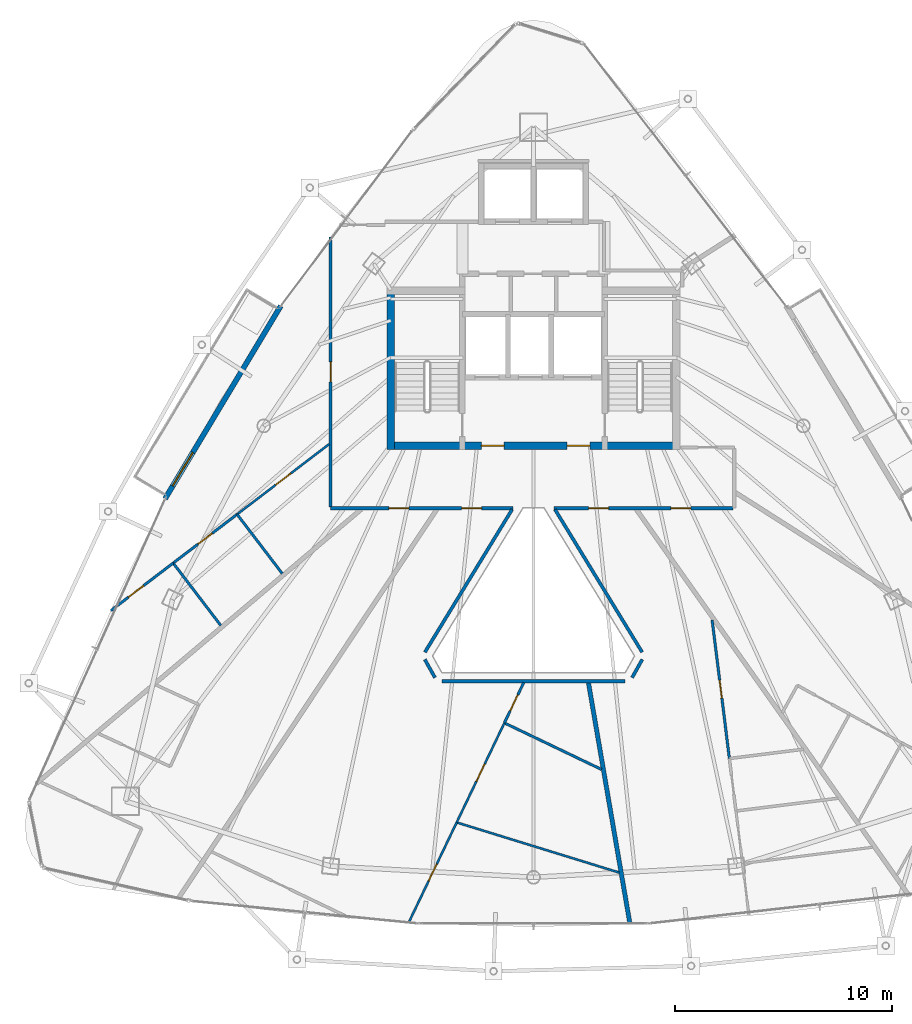
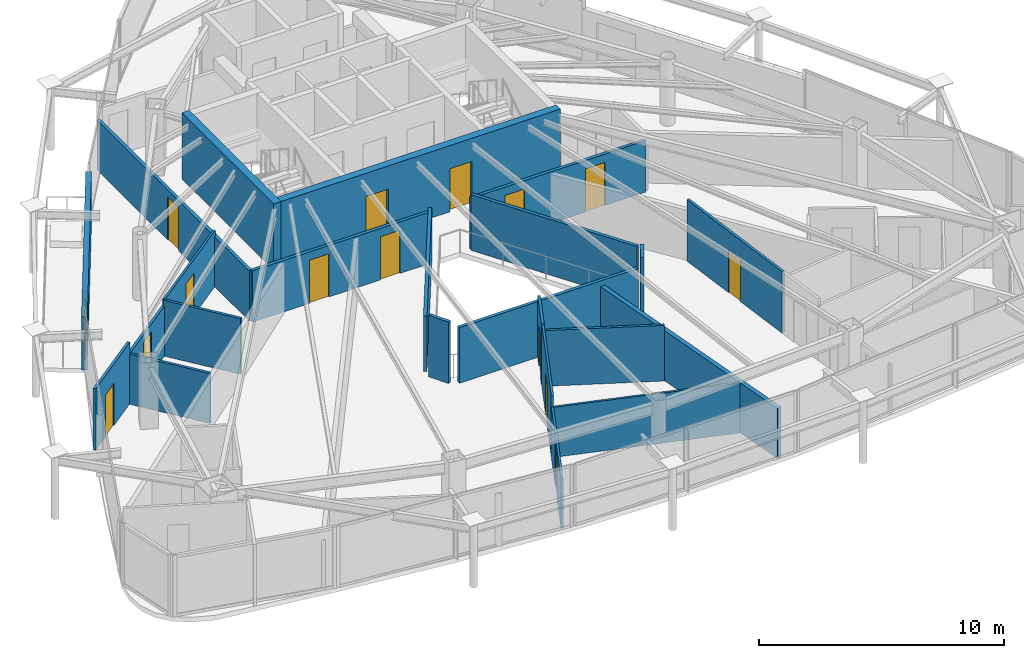
# One storey, part 28 of 33: 23 walls, 15 doors, 15 openings.
"""IFC4 building model written with IfcOpenShell, lengths in metres."""

import ifcopenshell
import ifcopenshell.guid

model = None  # the IFC model being written
_history = None  # IfcOwnerHistory: only IFC2X3 demands one
_inside = {}  # id of a spatial element -> (the spatial element, [elements in it])
_under = {}  # id of a project, library or spatial element -> (it, [spatial elements below it])
_declared = {}  # id of a project -> (the project, [libraries it declares])
_typed = {}  # id of a type object -> (the type object, [elements of that type])
_made_of = {}  # id of a material, layer set ... -> (it, [elements and type objects made of it])


def new_model(schema):
    """Start an empty IFC model of exactly this schema.

    Asked for "IFC4X3", IfcOpenShell would pick the latest addendum, in which some entities
    have other attributes; the version numbers below select the first issue.
    IFC2X3 requires an IfcOwnerHistory on every rooted entity: one is made here for all.
    """
    global model, _history
    if schema == "IFC4X3":
        model = ifcopenshell.file(schema_version=(4, 3, 0, 0))
    else:
        model = ifcopenshell.file(schema=schema)
    _inside.clear()
    _under.clear()
    _declared.clear()
    _typed.clear()
    _made_of.clear()
    _history = None
    if model.schema == "IFC2X3":
        org = make("IfcOrganization", Name="unknown")
        user = make(
            "IfcPersonAndOrganization",
            ThePerson=make("IfcPerson", FamilyName="unknown"),
            TheOrganization=org,
        )
        app = make(
            "IfcApplication",
            ApplicationDeveloper=org,
            Version="unknown",
            ApplicationFullName="unknown",
            ApplicationIdentifier="unknown",
        )
        _history = make(
            "IfcOwnerHistory",
            OwningUser=user,
            OwningApplication=app,
            ChangeAction="ADDED",
            CreationDate=0,
        )
    return model


def make(cls, **values):
    """One entity of the class cls with the attributes given. An attribute that is None is left unset."""
    return model.create_entity(
        cls, **{name: value for name, value in values.items() if value is not None}
    )


def rooted(cls, **values):
    """An entity with a GlobalId (a new one), such as an element, a storey or a relation."""
    return make(cls, GlobalId=ifcopenshell.guid.new(), OwnerHistory=_history, **values)


def si_unit(unit_type, name, prefix=None):
    """IfcSIUnit, for example si_unit("LENGTHUNIT", "METRE", prefix="MILLI")."""
    return make("IfcSIUnit", UnitType=unit_type, Prefix=prefix, Name=name)


def assignment(units):
    """IfcUnitAssignment: the units of a project."""
    return None if units is None else make("IfcUnitAssignment", Units=units)


def point(xyz):
    """IfcCartesianPoint."""
    return None if xyz is None else make("IfcCartesianPoint", Coordinates=xyz)


def direction(xyz):
    """IfcDirection."""
    return None if xyz is None else make("IfcDirection", DirectionRatios=xyz)


def frame(location, z_axis=None, x_axis=None):
    """IfcAxis2Placement3D, a coordinate frame: its origin and axes. An axis left out is left unset."""
    return make(
        "IfcAxis2Placement3D",
        Location=point(location),
        Axis=direction(z_axis),
        RefDirection=direction(x_axis),
    )


def frame_2d(location, x_axis=None):
    """IfcAxis2Placement2D, a coordinate frame in the plane: its origin and x axis."""
    return make(
        "IfcAxis2Placement2D", Location=point(location), RefDirection=direction(x_axis)
    )


def origin():
    """The frame at (0, 0, 0) with its axes left unset."""
    return frame((0.0, 0.0, 0.0))


def place(relative_to, where):
    """IfcLocalPlacement: puts the frame where relative to a parent placement (None: the world)."""
    return make(
        "IfcLocalPlacement", PlacementRelTo=relative_to, RelativePlacement=where
    )


def context(
    kind, dimensions, precision=None, world=None, true_north=None, identifier=None
):
    """IfcGeometricRepresentationContext, for example the 3D "Model" context."""
    return make(
        "IfcGeometricRepresentationContext",
        ContextIdentifier=identifier,
        ContextType=kind,
        CoordinateSpaceDimension=dimensions,
        Precision=precision,
        WorldCoordinateSystem=world,
        TrueNorth=true_north,
    )


def subcontext(parent, identifier, kind, view, scale=None):
    """IfcGeometricRepresentationSubContext, for example "Body" below "Model"."""
    return make(
        "IfcGeometricRepresentationSubContext",
        ContextIdentifier=identifier,
        ContextType=kind,
        ParentContext=parent,
        TargetScale=scale,
        TargetView=view,
    )


def project(units=None, contexts=None):
    """IfcProject with its units and contexts."""
    return rooted(
        "IfcProject",
        Name="project",
        RepresentationContexts=contexts,
        UnitsInContext=assignment(units),
    )


def spatial(cls, under=None, at=None, **own):
    """A site, building, storey or space (cls), placed at a placement, below another one or the project."""
    s = rooted(cls, ObjectPlacement=at, **own)
    if under is not None:
        _under.setdefault(under.id(), (under, []))[1].append(s)
    return s


def profile(cls, at=None, kind="AREA", **sizes):
    """A parametric profile (cls). Its sizes go by their IFC names, for example OverallWidth=200.0."""
    return make(cls, ProfileType=kind, Position=at, **sizes)


def rectangle(**sizes):
    """IfcRectangleProfileDef."""
    return profile("IfcRectangleProfileDef", **sizes)


def extrude(swept, where, along, depth):
    """IfcExtrudedAreaSolid: the profile swept, set in the frame where, extruded along a direction by depth."""
    return make(
        "IfcExtrudedAreaSolid",
        SweptArea=swept,
        Position=where,
        ExtrudedDirection=direction(along),
        Depth=depth,
    )


def shape(context_of_items, identifier, shape_type, items):
    """IfcShapeRepresentation: the items that make up one representation, for example the "Body"."""
    return make(
        "IfcShapeRepresentation",
        ContextOfItems=context_of_items,
        RepresentationIdentifier=identifier,
        RepresentationType=shape_type,
        Items=items,
    )


def material(Name=None, Category=None):
    """IfcMaterial."""
    return make("IfcMaterial", Name=Name, Category=Category)


def layer(
    of_material, thickness, ventilated=None, Name=None, Category=None, Priority=None
):
    """IfcMaterialLayer: one layer of a wall or slab, of a material (None: an air gap)."""
    return make(
        "IfcMaterialLayer",
        Material=of_material,
        LayerThickness=thickness,
        IsVentilated=ventilated,
        Name=Name,
        Category=Category,
        Priority=Priority,
    )


def layer_set(layers, Name=None):
    """IfcMaterialLayerSet."""
    return make("IfcMaterialLayerSet", MaterialLayers=layers, LayerSetName=Name)


def made_of(thing, what):
    """Note that an element or type object is made of a material, layer set ...; save() writes the relation."""
    if what is not None:
        _made_of.setdefault(what.id(), (what, []))[1].append(thing)
    return thing


def type_object(cls, material=None, **own):
    """A type object (cls), such as IfcWallType, which elements share."""
    return made_of(rooted(cls, **own), material)


def element(
    cls,
    number,
    at=None,
    inside=None,
    cuts=None,
    type_object=None,
    material=None,
    context=None,
    identifier="Body",
    shape_type=None,
    held_by="IfcProductDefinitionShape",
    body=None,
    shapes=None,
    **own,
):
    """One element of the class cls, such as IfcWall. Its Tag is "e" and its number.

    at: its placement. inside: the storey or other place that contains it. cuts: it is an
    opening in that element (IfcRelVoidsElement). A single representation is given by context,
    identifier, shape_type and body (its items); several are given by shapes. held_by: the class
    of the entity that holds the representations. save() writes the other relations.
    """
    e = rooted(cls, Tag="e%d" % number, ObjectPlacement=at, **own)
    if body is not None:
        shapes = [shape(context, identifier, shape_type, body)]
    if shapes is not None:
        e.Representation = make(held_by, Representations=shapes)
    if inside is not None:
        _inside.setdefault(inside.id(), (inside, []))[1].append(e)
    if cuts is not None:
        rooted(
            "IfcRelVoidsElement", RelatingBuildingElement=cuts, RelatedOpeningElement=e
        )
    if type_object is not None:
        _typed.setdefault(type_object.id(), (type_object, []))[1].append(e)
    return made_of(e, material)


def fill(opening, filler):
    """IfcRelFillsElement: the door or window that sits in an opening."""
    return rooted(
        "IfcRelFillsElement",
        RelatingOpeningElement=opening,
        RelatedBuildingElement=filler,
    )


def aggregate(whole, parts):
    """IfcRelAggregates: a whole, such as a stair, and the parts it consists of."""
    return rooted("IfcRelAggregates", RelatingObject=whole, RelatedObjects=parts)


def save(model, path):
    """Write the relations noted so far, then the file.

    IfcRelAggregates (storeys below a building ...), IfcRelContainedInSpatialStructure (elements
    in a storey), IfcRelDefinesByType, IfcRelAssociatesMaterial and IfcRelDeclares: one each for
    every whole, place, type object, material and project.
    """
    for whole, parts in _under.values():
        aggregate(whole, parts)
    for where, things in _inside.values():
        rooted(
            "IfcRelContainedInSpatialStructure",
            RelatedElements=things,
            RelatingStructure=where,
        )
    for kind, things in _typed.values():
        rooted("IfcRelDefinesByType", RelatedObjects=things, RelatingType=kind)
    for what, things in _made_of.values():
        rooted("IfcRelAssociatesMaterial", RelatedObjects=things, RelatingMaterial=what)
    for by, libraries in _declared.values():
        rooted("IfcRelDeclares", RelatingContext=by, RelatedDefinitions=libraries)
    model.write(path)


model = new_model("IFC4")

# Units and contexts
model_context = context("Model", 3, precision=1e-05, world=origin(), true_north=direction((0.0, 1.0)))
body_context = subcontext(model_context, "Body", "Model", "MODEL_VIEW")
ifc_project = project(units=[si_unit("LENGTHUNIT", "METRE"), si_unit("AREAUNIT", "SQUARE_METRE"), si_unit("VOLUMEUNIT", "CUBIC_METRE"), si_unit("PLANEANGLEUNIT", "RADIAN"), si_unit("MASSUNIT", "GRAM", prefix="KILO")], contexts=[model_context])

# Site, building, storey
site_placement = place(None, origin())
site = spatial("IfcSite", under=ifc_project, at=site_placement, CompositionType="ELEMENT")
building_placement = place(site_placement, origin())
building = spatial("IfcBuilding", under=site, at=building_placement, Name="Orvanel Arch Residences", CompositionType="ELEMENT")
storey_placement = place(building_placement, frame((0.0, 0.0, 212.89990234375)))
storey = spatial("IfcBuildingStorey", under=building, at=storey_placement, Name="L60", CompositionType="ELEMENT", Elevation=212.89990234375)

# Wall, opening, door
ifc_material_1 = material(Name="Precast concrete N50 (50 MPa)", Category="concrete")
ifc_layer_1 = layer(ifc_material_1, 0.239990234375)
ifc_layer_set_1 = layer_set([ifc_layer_1], Name="Precast concrete N50 (50 MPa)")
wall_type_1 = type_object("IfcWallType", Name="EW-BAL-240", PredefinedType="SOLIDWALL", material=ifc_layer_set_1)
wall_1_placement = place(storey_placement, frame((21.35302734375, 33.1689453125, 0.0), z_axis=(0.0, 0.0, 1.0), x_axis=(-0.514391899557, -0.857555230682, 0.0)))
wall_1 = element("IfcWall", 1, at=wall_1_placement, inside=storey, type_object=wall_type_1, Name="L60 Balcony Threshold Wall Face 1", PredefinedType="SOLIDWALL", context=body_context, shape_type="SweptSolid", body=[
    extrude(rectangle(XDim=10.371337890625, YDim=0.239990234375, at=frame_2d((5.185546875, 0.0))), origin(), (0.0, 0.0, 1.0), 2.6240234375),
])
opening_1_placement = place(wall_1_placement, frame((7.8740234375, 0.0, 0.0)))
opening_1 = element("IfcOpeningElement", 2, at=opening_1_placement, cuts=wall_1, Name="Opening DB-180", PredefinedType="OPENING", context=body_context, shape_type="SweptSolid", body=[
    extrude(rectangle(XDim=1.800048828125, YDim=2.199951171875, at=frame_2d((0.89990234375, 1.10009765625))), frame((0.0, 0.1298828125, 0.0), z_axis=(0.0, -1.0, 0.0), x_axis=(1.0, 0.0, 0.0)), (0.0, 0.0, 1.0), 0.260009765625),
])
ifc_material_2 = material(Name="Bronze-anodised aluminium AA6063-T6", Category="aluminium")
door_type_1 = type_object("IfcDoorType", Name="DR-BAL-1800", OperationType="NOTDEFINED", PredefinedType="DOOR", material=ifc_material_2)
door_1_placement = place(opening_1_placement, origin())
door_1 = element("IfcDoor", 3, at=door_1_placement, inside=storey, type_object=door_type_1, Name="DR-L60-BAL-F1 L60 Planted Balcony Access Door Face 1", OperationType="SINGLE_SWING_RIGHT", OverallHeight=2.199951171875, OverallWidth=1.800048828125, PredefinedType="DOOR", context=body_context, shape_type="SweptSolid", body=[
    extrude(rectangle(XDim=1.800048828125, YDim=2.199951171875, at=frame_2d((0.89990234375, 1.10009765625))), frame((0.0, 0.02490234375, 0.0), z_axis=(0.0, -1.0, 0.0), x_axis=(1.0, 0.0, 0.0)), (0.0, 0.0, 1.0), 0.050048828125),
])
fill(opening_1, door_1)

# Wall, openings, doors
ifc_material_3 = material(Name="Concrete N50 (50 MPa)", Category="concrete")
ifc_layer_2 = layer(ifc_material_3, 0.35009765625)
ifc_layer_set_2 = layer_set([ifc_layer_2], Name="Concrete N50 (50 MPa)")
wall_type_2 = type_object("IfcWallType", Name="SW-CORE-350", PredefinedType="SHEAR", material=ifc_layer_set_2)
wall_2_placement = place(storey_placement, frame((26.25, 26.72509765625, 0.0), z_axis=(0.0, 0.0, 1.0), x_axis=(1.0, 0.0, 0.0)))
wall_2 = element("IfcWall", 4, at=wall_2_placement, inside=storey, type_object=wall_type_2, Name="L60 South Core Shear Wall", PredefinedType="SHEAR", context=body_context, shape_type="SweptSolid", body=[
    extrude(rectangle(XDim=13.5, YDim=0.35009765625, at=frame_2d((6.75, 0.0))), origin(), (0.0, 0.0, 1.0), 3.300048828125),
])
opening_2_placement = place(wall_2_placement, frame((4.35009765625, 0.0, 0.0)))
opening_2 = element("IfcOpeningElement", 5, at=opening_2_placement, cuts=wall_2, Name="Opening DF-060", PredefinedType="OPENING", context=body_context, shape_type="SweptSolid", body=[
    extrude(rectangle(XDim=1.050048828125, YDim=2.14990234375, at=frame_2d((0.52490234375, 1.074951171875))), frame((0.0, 0.18505859375, 0.0), z_axis=(0.0, -1.0, 0.0), x_axis=(1.0, 0.0, 0.0)), (0.0, 0.0, 1.0), 0.3701171875),
])
opening_3_placement = place(wall_2_placement, frame((8.300048828125, 0.0, 0.0)))
opening_3 = element("IfcOpeningElement", 6, at=opening_3_placement, cuts=wall_2, Name="Opening DF-060", PredefinedType="OPENING", context=body_context, shape_type="SweptSolid", body=[
    extrude(rectangle(XDim=1.050048828125, YDim=2.14990234375, at=frame_2d((0.52490234375, 1.074951171875))), frame((0.0, 0.18505859375, 0.0), z_axis=(0.0, -1.0, 0.0), x_axis=(1.0, 0.0, 0.0)), (0.0, 0.0, 1.0), 0.3701171875),
])
ifc_material_4 = material(Name="Galvanised steel fire-resisting door assembly", Category="steel")
door_type_2 = type_object("IfcDoorType", Name="DR-FD60-1050", OperationType="NOTDEFINED", PredefinedType="DOOR", material=ifc_material_4)
door_2_placement = place(opening_2_placement, origin())
door_2 = element("IfcDoor", 7, at=door_2_placement, inside=storey, type_object=door_type_2, Name="DR-L60-FFL-W L60 West Smoke Lobby Door", OperationType="SINGLE_SWING_LEFT", OverallHeight=2.14990234375, OverallWidth=1.050048828125, PredefinedType="DOOR", context=body_context, shape_type="SweptSolid", body=[
    extrude(rectangle(XDim=1.050048828125, YDim=2.14990234375, at=frame_2d((0.52490234375, 1.074951171875))), frame((0.0, 0.02490234375, 0.0), z_axis=(0.0, -1.0, 0.0), x_axis=(1.0, 0.0, 0.0)), (0.0, 0.0, 1.0), 0.050048828125),
])
fill(opening_2, door_2)
door_3_placement = place(opening_3_placement, origin())
door_3 = element("IfcDoor", 8, at=door_3_placement, inside=storey, type_object=door_type_2, Name="DR-L60-FFL-E L60 East Smoke Lobby Door", OperationType="SINGLE_SWING_RIGHT", OverallHeight=2.14990234375, OverallWidth=1.050048828125, PredefinedType="DOOR", context=body_context, shape_type="SweptSolid", body=[
    extrude(rectangle(XDim=1.050048828125, YDim=2.14990234375, at=frame_2d((0.52490234375, 1.074951171875))), frame((0.0, 0.02490234375, 0.0), z_axis=(0.0, -1.0, 0.0), x_axis=(1.0, 0.0, 0.0)), (0.0, 0.0, 1.0), 0.050048828125),
])
fill(opening_3, door_3)

# Wall
wall_3_placement = place(storey_placement, frame((26.425048828125, 26.550048828125, 0.0), z_axis=(0.0, 0.0, 1.0), x_axis=(0.0, 1.0, 0.0)))
element("IfcWall", 9, at=wall_3_placement, inside=storey, type_object=wall_type_2, Name="L60 West Stair Shear Wall", PredefinedType="SHEAR", context=body_context, shape_type="SweptSolid", body=[
    extrude(rectangle(XDim=7.5, YDim=0.35009765625, at=frame_2d((3.75, 0.0))), origin(), (0.0, 0.0, 1.0), 3.300048828125),
])

# Wall, openings, doors
ifc_material_5 = material(Name="Fire-rated plasterboard lined steel stud partition", Category="steel")
ifc_layer_3 = layer(ifc_material_5, 0.14990234375)
ifc_layer_set_3 = layer_set([ifc_layer_3], Name="Fire-rated plasterboard lined steel stud partition")
wall_type_3 = type_object("IfcWallType", Name="W-COR-150", PredefinedType="PARTITIONING", material=ifc_layer_set_3)
wall_4_placement = place(storey_placement, frame((32.050048828125, 23.85009765625, 0.0), z_axis=(0.0, 0.0, 1.0), x_axis=(-1.0, 0.0, 0.0)))
wall_4 = element("IfcWall", 10, at=wall_4_placement, inside=storey, type_object=wall_type_3, Name="L60 Corridor Fire-Rated Partition", PredefinedType="PARTITIONING", context=body_context, shape_type="SweptSolid", body=[
    extrude(rectangle(XDim=8.400146484375, YDim=0.14990234375, at=frame_2d((4.2001953125, 0.0))), origin(), (0.0, 0.0, 1.0), 2.565185546875),
])
opening_4_placement = place(wall_4_placement, frame((1.446044921875, 0.0, 0.0)))
opening_4 = element("IfcOpeningElement", 11, at=opening_4_placement, cuts=wall_4, Name="Opening DA-092", PredefinedType="OPENING", context=body_context, shape_type="SweptSolid", body=[
    extrude(rectangle(XDim=0.919921875, YDim=2.14990234375, at=frame_2d((0.4599609375, 1.074951171875))), frame((0.0, 0.0849609375, 0.0), z_axis=(0.0, -1.0, 0.0), x_axis=(1.0, 0.0, 0.0)), (0.0, 0.0, 1.0), 0.169921875),
])
opening_5_placement = place(wall_4_placement, frame((4.798095703125, 0.0, 0.0)))
opening_5 = element("IfcOpeningElement", 12, at=opening_5_placement, cuts=wall_4, Name="Opening DA-092", PredefinedType="OPENING", context=body_context, shape_type="SweptSolid", body=[
    extrude(rectangle(XDim=0.919921875, YDim=2.14990234375, at=frame_2d((0.4599609375, 1.074951171875))), frame((0.0, 0.0849609375, 0.0), z_axis=(0.0, -1.0, 0.0), x_axis=(1.0, 0.0, 0.0)), (0.0, 0.0, 1.0), 0.169921875),
])
ifc_material_6 = material(Name="Solid-core European oak veneer fire door leaf", Category="wood")
door_type_3 = type_object("IfcDoorType", Name="DR-APT-920", OperationType="NOTDEFINED", PredefinedType="DOOR", material=ifc_material_6)
door_4_placement = place(opening_4_placement, origin())
door_4 = element("IfcDoor", 13, at=door_4_placement, inside=storey, type_object=door_type_3, Name="DR-L60-A-ENT L60 Flat A Entrance Door", OperationType="SINGLE_SWING_RIGHT", OverallHeight=2.14990234375, OverallWidth=0.919921875, PredefinedType="DOOR", context=body_context, shape_type="SweptSolid", body=[
    extrude(rectangle(XDim=0.919921875, YDim=2.14990234375, at=frame_2d((0.4599609375, 1.074951171875))), frame((0.0, 0.02490234375, 0.0), z_axis=(0.0, -1.0, 0.0), x_axis=(1.0, 0.0, 0.0)), (0.0, 0.0, 1.0), 0.050048828125),
])
fill(opening_4, door_4)
door_5_placement = place(opening_5_placement, origin())
door_5 = element("IfcDoor", 14, at=door_5_placement, inside=storey, type_object=door_type_3, Name="DR-L60-D-ENT L60 Studio D Entrance Door", OperationType="SINGLE_SWING_LEFT", OverallHeight=2.14990234375, OverallWidth=0.919921875, PredefinedType="DOOR", context=body_context, shape_type="SweptSolid", body=[
    extrude(rectangle(XDim=0.919921875, YDim=2.14990234375, at=frame_2d((0.4599609375, 1.074951171875))), frame((0.0, 0.02490234375, 0.0), z_axis=(0.0, -1.0, 0.0), x_axis=(1.0, 0.0, 0.0)), (0.0, 0.0, 1.0), 0.050048828125),
])
fill(opening_5, door_5)

# Wall, opening, door
wall_5_placement = place(storey_placement, frame((23.64990234375, 23.909912109375, 0.0), z_axis=(0.0, 0.0, 1.0), x_axis=(0.0, 1.0, 0.0)))
wall_5 = element("IfcWall", 15, at=wall_5_placement, inside=storey, type_object=wall_type_3, Name="L60 Corridor Fire-Rated Partition", PredefinedType="PARTITIONING", context=body_context, shape_type="SweptSolid", body=[
    extrude(rectangle(XDim=12.439208984375, YDim=0.14990234375, at=frame_2d((6.2197265625, 0.0))), origin(), (0.0, 0.0, 1.0), 2.4921875),
])
opening_6_placement = place(wall_5_placement, frame((5.759033203125, 0.0, 0.0)))
opening_6 = element("IfcOpeningElement", 16, at=opening_6_placement, cuts=wall_5, Name="Opening DA-092", PredefinedType="OPENING", context=body_context, shape_type="SweptSolid", body=[
    extrude(rectangle(XDim=0.919921875, YDim=2.14990234375, at=frame_2d((0.4599609375, 1.074951171875))), frame((0.0, 0.0849609375, 0.0), z_axis=(0.0, -1.0, 0.0), x_axis=(1.0, 0.0, 0.0)), (0.0, 0.0, 1.0), 0.169921875),
])
door_6_placement = place(opening_6_placement, origin())
door_6 = element("IfcDoor", 17, at=door_6_placement, inside=storey, type_object=door_type_3, Name="DR-L60-E-ENT L60 Studio E Entrance Door", OperationType="SINGLE_SWING_RIGHT", OverallHeight=2.14990234375, OverallWidth=0.919921875, PredefinedType="DOOR", context=body_context, shape_type="SweptSolid", body=[
    extrude(rectangle(XDim=0.919921875, YDim=2.14990234375, at=frame_2d((0.4599609375, 1.074951171875))), frame((0.0, 0.02490234375, 0.0), z_axis=(0.0, -1.0, 0.0), x_axis=(1.0, 0.0, 0.0)), (0.0, 0.0, 1.0), 0.050048828125),
])
fill(opening_6, door_6)

# Wall, openings, doors
wall_6_placement = place(storey_placement, frame((42.18994140625, 23.85009765625, 0.0), z_axis=(0.0, 0.0, 1.0), x_axis=(-1.0, 0.0, 0.0)))
wall_6 = element("IfcWall", 18, at=wall_6_placement, inside=storey, type_object=wall_type_3, Name="L60 Corridor Fire-Rated Partition", PredefinedType="PARTITIONING", context=body_context, shape_type="SweptSolid", body=[
    extrude(rectangle(XDim=8.239990234375, YDim=0.14990234375, at=frame_2d((4.1201171875, 0.0))), origin(), (0.0, 0.0, 1.0), 2.565185546875),
])
opening_7_placement = place(wall_6_placement, frame((1.93701171875, 0.0, 0.0)))
opening_7 = element("IfcOpeningElement", 19, at=opening_7_placement, cuts=wall_6, Name="Opening DA-092", PredefinedType="OPENING", context=body_context, shape_type="SweptSolid", body=[
    extrude(rectangle(XDim=0.919921875, YDim=2.14990234375, at=frame_2d((0.4599609375, 1.074951171875))), frame((0.0, 0.0849609375, 0.0), z_axis=(0.0, -1.0, 0.0), x_axis=(1.0, 0.0, 0.0)), (0.0, 0.0, 1.0), 0.169921875),
])
opening_8_placement = place(wall_6_placement, frame((5.73291015625, 0.0, 0.0)))
opening_8 = element("IfcOpeningElement", 20, at=opening_8_placement, cuts=wall_6, Name="Opening DA-092", PredefinedType="OPENING", context=body_context, shape_type="SweptSolid", body=[
    extrude(rectangle(XDim=0.919921875, YDim=2.14990234375, at=frame_2d((0.4599609375, 1.074951171875))), frame((0.0, 0.0849609375, 0.0), z_axis=(0.0, -1.0, 0.0), x_axis=(1.0, 0.0, 0.0)), (0.0, 0.0, 1.0), 0.169921875),
])
door_7_placement = place(opening_7_placement, origin())
door_7 = element("IfcDoor", 21, at=door_7_placement, inside=storey, type_object=door_type_3, Name="DR-L60-B-ENT L60 Studio B Entrance Door", OperationType="SINGLE_SWING_LEFT", OverallHeight=2.14990234375, OverallWidth=0.919921875, PredefinedType="DOOR", context=body_context, shape_type="SweptSolid", body=[
    extrude(rectangle(XDim=0.919921875, YDim=2.14990234375, at=frame_2d((0.4599609375, 1.074951171875))), frame((0.0, 0.02490234375, 0.0), z_axis=(0.0, -1.0, 0.0), x_axis=(1.0, 0.0, 0.0)), (0.0, 0.0, 1.0), 0.050048828125),
])
fill(opening_7, door_7)
door_8_placement = place(opening_8_placement, origin())
door_8 = element("IfcDoor", 22, at=door_8_placement, inside=storey, type_object=door_type_3, Name="DR-L60-C-ENT L60 Flat C Entrance Door", OperationType="SINGLE_SWING_RIGHT", OverallHeight=2.14990234375, OverallWidth=0.919921875, PredefinedType="DOOR", context=body_context, shape_type="SweptSolid", body=[
    extrude(rectangle(XDim=0.919921875, YDim=2.14990234375, at=frame_2d((0.4599609375, 1.074951171875))), frame((0.0, 0.02490234375, 0.0), z_axis=(0.0, -1.0, 0.0), x_axis=(1.0, 0.0, 0.0)), (0.0, 0.0, 1.0), 0.050048828125),
])
fill(opening_8, door_8)

# Walls
wall_7_placement = place(storey_placement, frame((33.987060546875, 23.7900390625, 0.0), z_axis=(0.0, 0.0, 1.0), x_axis=(0.521338496894, -0.853349970209, 0.0)))
element("IfcWall", 23, at=wall_7_placement, inside=storey, type_object=wall_type_3, Name="L60 Atrium Overlook Glazed Partition", PredefinedType="PARTITIONING", context=body_context, shape_type="SweptSolid", body=[
    extrude(rectangle(XDim=7.704833984375, YDim=0.14990234375, at=frame_2d((3.8525390625, 0.0))), origin(), (0.0, 0.0, 1.0), 2.773193359375),
])
wall_8_placement = place(storey_placement, frame((38.010009765625, 16.87890625, 0.0), z_axis=(0.0, 0.0, 1.0), x_axis=(-0.488859069364, -0.872362774481, 0.0)))
element("IfcWall", 24, at=wall_8_placement, inside=storey, type_object=wall_type_3, Name="L60 Atrium Overlook Glazed Partition", PredefinedType="PARTITIONING", context=body_context, shape_type="SweptSolid", body=[
    extrude(rectangle(XDim=0.95947265625, YDim=0.14990234375, at=frame_2d((0.479736328125, 0.0))), origin(), (0.0, 0.0, 1.0), 3.06005859375),
])
wall_9_placement = place(storey_placement, frame((37.212890625, 15.8701171875, 0.0), z_axis=(0.0, 0.0, 1.0), x_axis=(-1.0, 0.0, 0.0)))
element("IfcWall", 25, at=wall_9_placement, inside=storey, type_object=wall_type_3, Name="L60 Atrium Overlook Glazed Partition", PredefinedType="PARTITIONING", context=body_context, shape_type="SweptSolid", body=[
    extrude(rectangle(XDim=8.42578125, YDim=0.14990234375, at=frame_2d((4.212890625, 0.0))), origin(), (0.0, 0.0, 1.0), 2.773193359375),
])
wall_10_placement = place(storey_placement, frame((28.458984375, 16.0419921875, 0.0), z_axis=(0.0, 0.0, 1.0), x_axis=(-0.488859069364, 0.872362774481, 0.0)))
element("IfcWall", 26, at=wall_10_placement, inside=storey, type_object=wall_type_3, Name="L60 Atrium Overlook Glazed Partition", PredefinedType="PARTITIONING", context=body_context, shape_type="SweptSolid", body=[
    extrude(rectangle(XDim=0.95947265625, YDim=0.14990234375, at=frame_2d((0.479736328125, 0.0))), origin(), (0.0, 0.0, 1.0), 3.06005859375),
])
wall_11_placement = place(storey_placement, frame((27.99609375, 17.215087890625, 0.0), z_axis=(0.0, 0.0, 1.0), x_axis=(0.521338496894, 0.853349970209, 0.0)))
element("IfcWall", 27, at=wall_11_placement, inside=storey, type_object=wall_type_3, Name="L60 Atrium Overlook Glazed Partition", PredefinedType="PARTITIONING", context=body_context, shape_type="SweptSolid", body=[
    extrude(rectangle(XDim=7.704833984375, YDim=0.14990234375, at=frame_2d((3.8525390625, 0.0))), origin(), (0.0, 0.0, 1.0), 2.773193359375),
])
ifc_layer_4 = layer(ifc_material_5, 0.199951171875)
ifc_layer_set_4 = layer_set([ifc_layer_4], Name="Fire-rated plasterboard lined steel stud partition")
wall_type_4 = type_object("IfcWallType", Name="W-DEM-200", PredefinedType="PARTITIONING", material=ifc_layer_set_4)
wall_12_placement = place(storey_placement, frame((35.530029296875, 15.81005859375, 0.0), z_axis=(0.0, 0.0, 1.0), x_axis=(0.169681394536, -0.985498972272, 0.0)))
element("IfcWall", 28, at=wall_12_placement, inside=storey, type_object=wall_type_4, Name="L60 Inter-Tenancy Acoustic Demising Wall", PredefinedType="PARTITIONING", context=body_context, shape_type="SweptSolid", body=[
    extrude(rectangle(XDim=11.274658203125, YDim=0.199951171875, at=frame_2d((5.63720703125, 0.0))), origin(), (0.0, 0.0, 1.0), 2.4921875),
])

# Wall, opening, door
ifc_material_7 = material(Name="Acoustic plasterboard lined twin-stud partition", Category="gypsum")
ifc_layer_5 = layer(ifc_material_7, 0.10009765625)
ifc_layer_set_5 = layer_set([ifc_layer_5], Name="Acoustic plasterboard lined twin-stud partition")
wall_type_5 = type_object("IfcWallType", Name="W-INT-100", PredefinedType="PARTITIONING", material=ifc_layer_set_5)
wall_13_placement = place(storey_placement, frame((29.458984375, 9.3701171875, 0.0), z_axis=(0.0, 0.0, 1.0), x_axis=(-0.43211613455, -0.901817967364, 0.0)))
wall_13 = element("IfcWall", 29, at=wall_13_placement, inside=storey, type_object=wall_type_5, Name="L60 Flat A Internal Partition", PredefinedType="PARTITIONING", context=body_context, shape_type="SweptSolid", body=[
    extrude(rectangle(XDim=5.112060546875, YDim=0.10009765625, at=frame_2d((2.55615234375, 0.0))), origin(), (0.0, 0.0, 1.0), 2.4921875),
])
opening_9_placement = place(wall_13_placement, frame((2.115966796875, 0.0, 0.0)))
opening_9 = element("IfcOpeningElement", 30, at=opening_9_placement, cuts=wall_13, Name="Opening DI-088", PredefinedType="OPENING", context=body_context, shape_type="SweptSolid", body=[
    extrude(rectangle(XDim=0.8798828125, YDim=2.10009765625, at=frame_2d((0.43994140625, 1.050048828125))), frame((0.0, 0.06005859375, 0.0), z_axis=(0.0, -1.0, 0.0), x_axis=(1.0, 0.0, 0.0)), (0.0, 0.0, 1.0), 0.1201171875),
])
door_type_4 = type_object("IfcDoorType", Name="DR-INT-880", OperationType="NOTDEFINED", PredefinedType="DOOR", material=ifc_material_6)
door_9_placement = place(opening_9_placement, origin())
door_9 = element("IfcDoor", 31, at=door_9_placement, inside=storey, type_object=door_type_4, Name="DR-L60-A-BED1 L60 Flat A Bedroom 1 Door", OperationType="SINGLE_SWING_LEFT", OverallHeight=2.10009765625, OverallWidth=0.8798828125, PredefinedType="DOOR", context=body_context, shape_type="SweptSolid", body=[
    extrude(rectangle(XDim=0.8798828125, YDim=2.10009765625, at=frame_2d((0.43994140625, 1.050048828125))), frame((0.0, 0.02490234375, 0.0), z_axis=(0.0, -1.0, 0.0), x_axis=(1.0, 0.0, 0.0)), (0.0, 0.0, 1.0), 0.050048828125),
])
fill(opening_9, door_9)

wall_14_placement = place(storey_placement, frame((31.656982421875, 13.955078125, 0.0), z_axis=(0.0, 0.0, 1.0), x_axis=(-0.4322861352, -0.901736489954, 0.0)))
wall_14 = element("IfcWall", 32, at=wall_14_placement, inside=storey, type_object=wall_type_5, Name="L60 Flat A Internal Partition", PredefinedType="PARTITIONING", context=body_context, shape_type="SweptSolid", body=[
    extrude(rectangle(XDim=5.08447265625, YDim=0.10009765625, at=frame_2d((2.542236328125, 0.0))), origin(), (0.0, 0.0, 1.0), 3.06005859375),
])
opening_10_placement = place(wall_14_placement, frame((2.10205078125, 0.0, 0.0)))
opening_10 = element("IfcOpeningElement", 33, at=opening_10_placement, cuts=wall_14, Name="Opening DI-088", PredefinedType="OPENING", context=body_context, shape_type="SweptSolid", body=[
    extrude(rectangle(XDim=0.8798828125, YDim=2.10009765625, at=frame_2d((0.43994140625, 1.050048828125))), frame((0.0, 0.06005859375, 0.0), z_axis=(0.0, -1.0, 0.0), x_axis=(1.0, 0.0, 0.0)), (0.0, 0.0, 1.0), 0.1201171875),
])
door_10_placement = place(opening_10_placement, origin())
door_10 = element("IfcDoor", 34, at=door_10_placement, inside=storey, type_object=door_type_4, Name="DR-L60-A-WRD2 L60 Flat A Walk-In Wardrobe 1 Door", OperationType="SINGLE_SWING_LEFT", OverallHeight=2.10009765625, OverallWidth=0.8798828125, PredefinedType="DOOR", context=body_context, shape_type="SweptSolid", body=[
    extrude(rectangle(XDim=0.8798828125, YDim=2.10009765625, at=frame_2d((0.43994140625, 1.050048828125))), frame((0.0, 0.02490234375, 0.0), z_axis=(0.0, -1.0, 0.0), x_axis=(1.0, 0.0, 0.0)), (0.0, 0.0, 1.0), 0.050048828125),
])
fill(opening_10, door_10)

# Wall
wall_15_placement = place(storey_placement, frame((29.458984375, 9.3701171875, 0.0), z_axis=(0.0, 0.0, 1.0), x_axis=(0.955559226726, -0.294799193044, 0.0)))
element("IfcWall", 35, at=wall_15_placement, inside=storey, type_object=wall_type_5, Name="L60 Flat A Internal Partition", PredefinedType="PARTITIONING", context=body_context, shape_type="SweptSolid", body=[
    extrude(rectangle(XDim=7.83935546875, YDim=0.10009765625, at=frame_2d((3.919677734375, 0.0))), origin(), (0.0, 0.0, 1.0), 2.4921875),
])

# Wall, opening, door
wall_16_placement = place(storey_placement, frame((23.590087890625, 26.804931640625, 0.0), z_axis=(0.0, 0.0, 1.0), x_axis=(-0.795214502583, -0.606328207228, 0.0)))
wall_16 = element("IfcWall", 36, at=wall_16_placement, inside=storey, type_object=wall_type_5, Name="L60 Studio E Internal Partition", PredefinedType="PARTITIONING", context=body_context, shape_type="SweptSolid", body=[
    extrude(rectangle(XDim=5.342041015625, YDim=0.10009765625, at=frame_2d((2.6708984375, 0.0))), origin(), (0.0, 0.0, 1.0), 2.773193359375),
])
opening_11_placement = place(wall_16_placement, frame((2.23095703125, 0.0, 0.0)))
opening_11 = element("IfcOpeningElement", 37, at=opening_11_placement, cuts=wall_16, Name="Opening DI-088", PredefinedType="OPENING", context=body_context, shape_type="SweptSolid", body=[
    extrude(rectangle(XDim=0.8798828125, YDim=2.10009765625, at=frame_2d((0.43994140625, 1.050048828125))), frame((0.0, 0.06005859375, 0.0), z_axis=(0.0, -1.0, 0.0), x_axis=(1.0, 0.0, 0.0)), (0.0, 0.0, 1.0), 0.1201171875),
])
door_11_placement = place(opening_11_placement, origin())
door_11 = element("IfcDoor", 38, at=door_11_placement, inside=storey, type_object=door_type_4, Name="DR-L60-E-DIN1 L60 Studio E Dining Room 1 Door", OperationType="SINGLE_SWING_LEFT", OverallHeight=2.10009765625, OverallWidth=0.8798828125, PredefinedType="DOOR", context=body_context, shape_type="SweptSolid", body=[
    extrude(rectangle(XDim=0.8798828125, YDim=2.10009765625, at=frame_2d((0.43994140625, 1.050048828125))), frame((0.0, 0.02490234375, 0.0), z_axis=(0.0, -1.0, 0.0), x_axis=(1.0, 0.0, 0.0)), (0.0, 0.0, 1.0), 0.050048828125),
])
fill(opening_11, door_11)

ifc_layer_6 = layer(ifc_material_7, 0.1201171875)
ifc_layer_set_6 = layer_set([ifc_layer_6], Name="Acoustic plasterboard lined twin-stud partition")
wall_type_6 = type_object("IfcWallType", Name="W-WET-120", PredefinedType="PARTITIONING", material=ifc_layer_set_6)
wall_17_placement = place(storey_placement, frame((32.5458984375, 15.81005859375, 0.0), z_axis=(0.0, 0.0, 1.0), x_axis=(-0.43214833388, -0.90180253799, 0.0)))
wall_17 = element("IfcWall", 39, at=wall_17_placement, inside=storey, type_object=wall_type_6, Name="L60 Flat A Bathroom Partition", PredefinedType="PARTITIONING", context=body_context, shape_type="SweptSolid", body=[
    extrude(rectangle(XDim=2.056884765625, YDim=0.1201171875, at=frame_2d((1.0283203125, 0.0))), origin(), (0.0, 0.0, 1.0), 3.06005859375),
])
opening_12_placement = place(wall_17_placement, frame((0.618896484375, 0.0, 0.0)))
opening_12 = element("IfcOpeningElement", 40, at=opening_12_placement, cuts=wall_17, Name="Opening DW-082", PredefinedType="OPENING", context=body_context, shape_type="SweptSolid", body=[
    extrude(rectangle(XDim=0.820068359375, YDim=2.10009765625, at=frame_2d((0.41015625, 1.050048828125))), frame((0.0, 0.070068359375, 0.0), z_axis=(0.0, -1.0, 0.0), x_axis=(1.0, 0.0, 0.0)), (0.0, 0.0, 1.0), 0.14013671875),
])
door_type_5 = type_object("IfcDoorType", Name="DR-WET-820", OperationType="NOTDEFINED", PredefinedType="DOOR", material=ifc_material_6)
door_12_placement = place(opening_12_placement, origin())
door_12 = element("IfcDoor", 41, at=door_12_placement, inside=storey, type_object=door_type_5, Name="DR-L60-A-BATH L60 Flat A Bathroom Door", OperationType="SINGLE_SWING_RIGHT", OverallHeight=2.10009765625, OverallWidth=0.820068359375, PredefinedType="DOOR", context=body_context, shape_type="SweptSolid", body=[
    extrude(rectangle(XDim=0.820068359375, YDim=2.10009765625, at=frame_2d((0.41015625, 1.050048828125))), frame((0.0, 0.02490234375, 0.0), z_axis=(0.0, -1.0, 0.0), x_axis=(1.0, 0.0, 0.0)), (0.0, 0.0, 1.0), 0.050048828125),
])
fill(opening_12, door_12)

# Wall
wall_18_placement = place(storey_placement, frame((36.133056640625, 11.81005859375, 0.0), z_axis=(0.0, 0.0, 1.0), x_axis=(-0.901797658679, 0.432158515826, 0.0)))
element("IfcWall", 42, at=wall_18_placement, inside=storey, type_object=wall_type_6, Name="L60 Flat A Bathroom Partition", PredefinedType="PARTITIONING", context=body_context, shape_type="SweptSolid", body=[
    extrude(rectangle(XDim=4.963623046875, YDim=0.1201171875, at=frame_2d((2.48193359375, 0.0))), origin(), (0.0, 0.0, 1.0), 2.773193359375),
])

# Wall, opening, door
wall_19_placement = place(storey_placement, frame((41.22802734375, 18.699951171875, 0.0), z_axis=(0.0, 0.0, 1.0), x_axis=(0.123731094195, -0.992315784581, 0.0)))
wall_19 = element("IfcWall", 43, at=wall_19_placement, inside=storey, type_object=wall_type_6, Name="L60 Flat C Bathroom Partition", PredefinedType="PARTITIONING", context=body_context, shape_type="SweptSolid", body=[
    extrude(rectangle(XDim=6.432373046875, YDim=0.1201171875, at=frame_2d((3.21630859375, 0.0))), origin(), (0.0, 0.0, 1.0), 3.06005859375),
])
opening_13_placement = place(wall_19_placement, frame((2.805908203125, 0.0, 0.0)))
opening_13 = element("IfcOpeningElement", 44, at=opening_13_placement, cuts=wall_19, Name="Opening DW-082", PredefinedType="OPENING", context=body_context, shape_type="SweptSolid", body=[
    extrude(rectangle(XDim=0.820068359375, YDim=2.10009765625, at=frame_2d((0.41015625, 1.050048828125))), frame((0.0, 0.070068359375, 0.0), z_axis=(0.0, -1.0, 0.0), x_axis=(1.0, 0.0, 0.0)), (0.0, 0.0, 1.0), 0.14013671875),
])
door_13_placement = place(opening_13_placement, origin())
door_13 = element("IfcDoor", 45, at=door_13_placement, inside=storey, type_object=door_type_5, Name="DR-L60-C-BATH L60 Flat C Bathroom Door", OperationType="SINGLE_SWING_RIGHT", OverallHeight=2.10009765625, OverallWidth=0.820068359375, PredefinedType="DOOR", context=body_context, shape_type="SweptSolid", body=[
    extrude(rectangle(XDim=0.820068359375, YDim=2.10009765625, at=frame_2d((0.41015625, 1.050048828125))), frame((0.0, 0.02490234375, 0.0), z_axis=(0.0, -1.0, 0.0), x_axis=(1.0, 0.0, 0.0)), (0.0, 0.0, 1.0), 0.050048828125),
])
fill(opening_13, door_13)

wall_20_placement = place(storey_placement, frame((19.342041015625, 23.56591796875, 0.0), z_axis=(0.0, 0.0, 1.0), x_axis=(-0.795172892053, -0.606382776589, 0.0)))
wall_20 = element("IfcWall", 46, at=wall_20_placement, inside=storey, type_object=wall_type_6, Name="L60 Studio E Bathroom Partition", PredefinedType="PARTITIONING", context=body_context, shape_type="SweptSolid", body=[
    extrude(rectangle(XDim=3.70361328125, YDim=0.1201171875, at=frame_2d((1.851806640625, 0.0))), origin(), (0.0, 0.0, 1.0), 2.4921875),
])
opening_14_placement = place(wall_20_placement, frame((1.44189453125, 0.0, 0.0)))
opening_14 = element("IfcOpeningElement", 47, at=opening_14_placement, cuts=wall_20, Name="Opening DW-082", PredefinedType="OPENING", context=body_context, shape_type="SweptSolid", body=[
    extrude(rectangle(XDim=0.820068359375, YDim=2.10009765625, at=frame_2d((0.41015625, 1.050048828125))), frame((0.0, 0.070068359375, 0.0), z_axis=(0.0, -1.0, 0.0), x_axis=(1.0, 0.0, 0.0)), (0.0, 0.0, 1.0), 0.14013671875),
])
door_14_placement = place(opening_14_placement, origin())
door_14 = element("IfcDoor", 48, at=door_14_placement, inside=storey, type_object=door_type_5, Name="DR-L60-E-BATH L60 Studio E Bathroom Door", OperationType="SINGLE_SWING_RIGHT", OverallHeight=2.10009765625, OverallWidth=0.820068359375, PredefinedType="DOOR", context=body_context, shape_type="SweptSolid", body=[
    extrude(rectangle(XDim=0.820068359375, YDim=2.10009765625, at=frame_2d((0.41015625, 1.050048828125))), frame((0.0, 0.02490234375, 0.0), z_axis=(0.0, -1.0, 0.0), x_axis=(1.0, 0.0, 0.0)), (0.0, 0.0, 1.0), 0.050048828125),
])
fill(opening_14, door_14)

wall_21_placement = place(storey_placement, frame((16.39697265625, 21.320068359375, 0.0), z_axis=(0.0, 0.0, 1.0), x_axis=(-0.795204709159, -0.606341051333, 0.0)))
wall_21 = element("IfcWall", 49, at=wall_21_placement, inside=storey, type_object=wall_type_6, Name="L60 Studio E Internal Partition", PredefinedType="PARTITIONING", context=body_context, shape_type="SweptSolid", body=[
    extrude(rectangle(XDim=3.605224609375, YDim=0.1201171875, at=frame_2d((1.802734375, 0.0))), origin(), (0.0, 0.0, 1.0), 3.06005859375),
])
opening_15_placement = place(wall_21_placement, frame((1.7099609375, 0.0, 0.0)))
opening_15 = element("IfcOpeningElement", 50, at=opening_15_placement, cuts=wall_21, Name="Opening DI-088", PredefinedType="OPENING", context=body_context, shape_type="SweptSolid", body=[
    extrude(rectangle(XDim=0.8798828125, YDim=2.10009765625, at=frame_2d((0.43994140625, 1.050048828125))), frame((0.0, 0.070068359375, 0.0), z_axis=(0.0, -1.0, 0.0), x_axis=(1.0, 0.0, 0.0)), (0.0, 0.0, 1.0), 0.14013671875),
])
door_15_placement = place(opening_15_placement, origin())
door_15 = element("IfcDoor", 51, at=door_15_placement, inside=storey, type_object=door_type_4, Name="DR-L60-E-KIT L60 Studio E Kitchenette Door", OperationType="SINGLE_SWING_LEFT", OverallHeight=2.10009765625, OverallWidth=0.8798828125, PredefinedType="DOOR", context=body_context, shape_type="SweptSolid", body=[
    extrude(rectangle(XDim=0.8798828125, YDim=2.10009765625, at=frame_2d((0.43994140625, 1.050048828125))), frame((0.0, 0.02490234375, 0.0), z_axis=(0.0, -1.0, 0.0), x_axis=(1.0, 0.0, 0.0)), (0.0, 0.0, 1.0), 0.050048828125),
])
fill(opening_15, door_15)

# Walls
wall_22_placement = place(storey_placement, frame((18.590087890625, 18.445068359375, 0.0), z_axis=(0.0, 0.0, 1.0), x_axis=(-0.606504882674, 0.795079761591, 0.0)))
element("IfcWall", 52, at=wall_22_placement, inside=storey, type_object=wall_type_6, Name="L60 Studio E Bathroom Partition", PredefinedType="PARTITIONING", context=body_context, shape_type="SweptSolid", body=[
    extrude(rectangle(XDim=3.615966796875, YDim=0.1201171875, at=frame_2d((1.80810546875, 0.0))), origin(), (0.0, 0.0, 1.0), 2.4921875),
])
wall_23_placement = place(storey_placement, frame((19.342041015625, 23.56591796875, 0.0), z_axis=(0.0, 0.0, 1.0), x_axis=(0.60619754922, -0.795314108589, 0.0)))
element("IfcWall", 53, at=wall_23_placement, inside=storey, type_object=wall_type_6, Name="L60 Studio E Bathroom Partition", PredefinedType="PARTITIONING", context=body_context, shape_type="SweptSolid", body=[
    extrude(rectangle(XDim=3.431396484375, YDim=0.1201171875, at=frame_2d((1.7158203125, 0.0))), origin(), (0.0, 0.0, 1.0), 2.773193359375),
])

save(model, "model.ifc")
